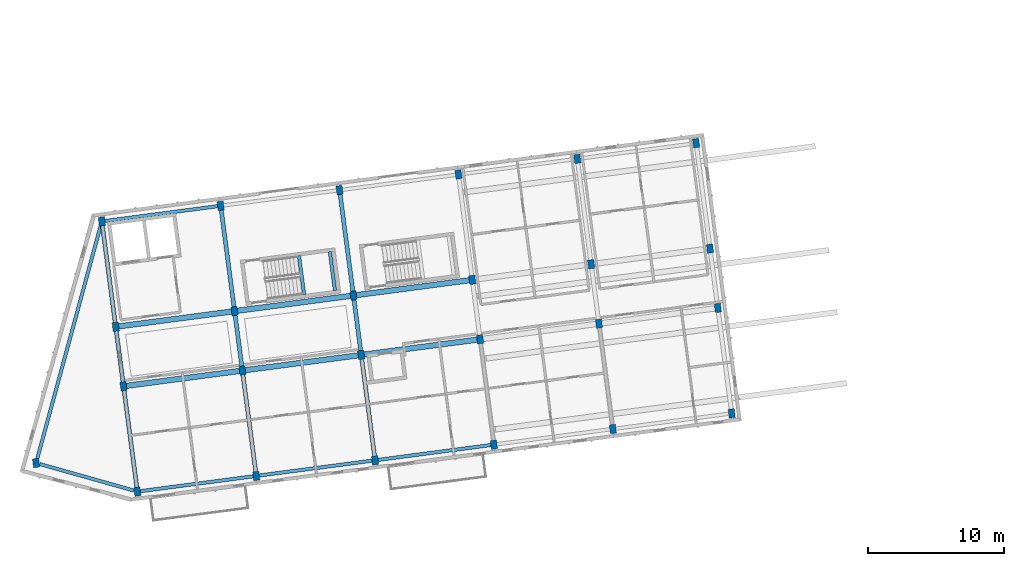
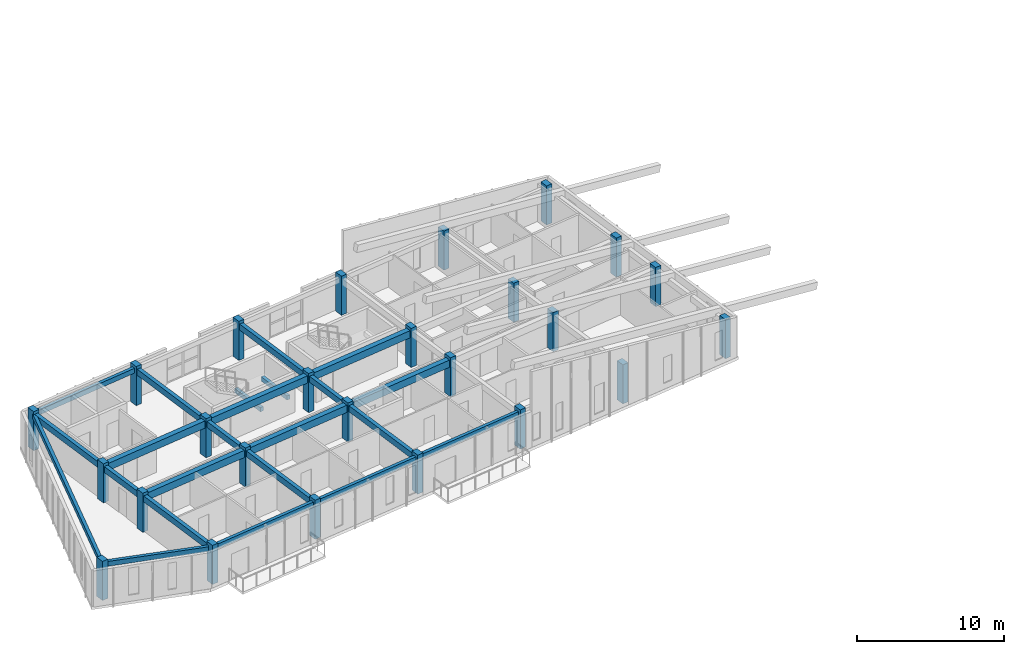
# One storey, part 1 of 16: 25 columns, 23 beams.
"""IFC4 building model written with IfcOpenShell, lengths in metres."""

from ifc_helpers import new_model, si_unit, direction, frame, origin, origin_2d, place, context, subcontext, project, spatial, rectangle, extrude, material, material_profile, profile_set, type_object, element, save


model = new_model("IFC4")

# Units and contexts
model_context = context("Model", 3, precision=1e-05, world=origin(), true_north=direction((0.0, 1.0)))
body_context = subcontext(model_context, "Body", "Model", "MODEL_VIEW")
ifc_project = project(units=[si_unit("LENGTHUNIT", "METRE"), si_unit("AREAUNIT", "SQUARE_METRE"), si_unit("VOLUMEUNIT", "CUBIC_METRE"), si_unit("PLANEANGLEUNIT", "RADIAN"), si_unit("MASSUNIT", "GRAM", prefix="KILO")], contexts=[model_context])

# Site, building, storey
site_placement = place(None, origin())
site = spatial("IfcSite", under=ifc_project, at=site_placement, CompositionType="ELEMENT")
building_placement = place(site_placement, origin())
building = spatial("IfcBuilding", under=site, at=building_placement, Name="Kestramere Prow Commons", CompositionType="ELEMENT")
storey_placement = place(building_placement, frame((0.0, 0.0, 40.89990234375)))
storey = spatial("IfcBuildingStorey", under=building, at=storey_placement, Name="L12", CompositionType="ELEMENT", Elevation=40.89990234375)

# Columns
ifc_material_1 = material(Name="Precast concrete C40/50", Category="concrete")
ifc_material_profile_1 = material_profile(ifc_material_1, rectangle(XDim=0.449951171875, YDim=0.64990234375, at=origin_2d()), Name="PC-COL 450x650")
ifc_profile_set_1 = profile_set([ifc_material_profile_1], Name="Precast concrete C40/50")
column_type = type_object("IfcColumnType", Name="C-A3 PC-COL 450x650", PredefinedType="COLUMN", material=ifc_profile_set_1)
for number, where, z_axis, x_axis, name in (
    (1, (11.199951171875, 72.0, 0.0), (0.0, 0.0, 1.0), (0.991444861374, 0.13052619222, 0.0), "Block A L12 Column 1-1"),
    (2, (10.181884765625, 79.733154296875, 0.0), (0.0, 0.0, 1.0), (0.991444861374, 0.13052619222, 0.0), "Block A L12 Column 1-2"),
    (3, (9.607666015625, 84.095703125, 0.0), (0.0, 0.0, 1.0), (0.991444861374, 0.13052619222, 0.0), "Block A L12 Column 1-3"),
    (4, (8.58935546875, 91.828857421875, 0.0), (0.0, 0.0, 1.0), (0.991444861374, 0.13052619222, 0.0), "Block A L12 Column 1-4"),
    (5, (19.9248046875, 73.148681640625, 0.0), (0.0, 0.0, 1.0), (0.991444861374, 0.13052619222, 0.0), "Block A L12 Column 2-1"),
    (6, (18.906494140625, 80.8818359375, 0.0), (0.0, 0.0, 1.0), (0.991444861374, 0.13052619222, 0.0), "Block A L12 Column 2-2"),
    (7, (18.332275390625, 85.244140625, 0.0), (0.0, 0.0, 1.0), (0.991444861374, 0.13052619222, 0.0), "Block A L12 Column 2-3"),
    (8, (17.314208984375, 92.9775390625, 0.0), (0.0, 0.0, 1.0), (0.991444861374, 0.13052619222, 0.0), "Block A L12 Column 2-4"),
    (9, (28.6494140625, 74.29736328125, 0.0), (0.0, 0.0, 1.0), (0.991444861374, 0.13052619222, 0.0), "Block A L12 Column 3-1"),
    (10, (27.63134765625, 82.030517578125, 0.0), (0.0, 0.0, 1.0), (0.991444861374, 0.13052619222, 0.0), "Block A L12 Column 3-2"),
    (11, (27.05712890625, 86.392822265625, 0.0), (0.0, 0.0, 1.0), (0.991444861374, 0.13052619222, 0.0), "Block A L12 Column 3-3"),
    (12, (26.038818359375, 94.126220703125, 0.0), (0.0, 0.0, 1.0), (0.991444861374, 0.13052619222, 0.0), "Block A L12 Column 3-4"),
    (13, (37.3740234375, 75.44580078125, 0.0), (0.0, 0.0, 1.0), (0.991444861374, 0.13052619222, 0.0), "Block A L12 Column 4-1"),
    (14, (36.35595703125, 83.17919921875, 0.0), (0.0, 0.0, 1.0), (0.991444861374, 0.13052619222, 0.0), "Block A L12 Column 4-2"),
    (15, (35.78173828125, 87.54150390625, 0.0), (0.0, 0.0, 1.0), (0.991444861374, 0.13052619222, 0.0), "Block A L12 Column 4-3"),
    (16, (34.763671875, 95.27490234375, 0.0), (0.0, 0.0, 1.0), (0.991444861374, 0.13052619222, 0.0), "Block A L12 Column 4-4"),
    (17, (46.098876953125, 76.594482421875, 0.0), (0.0, 0.0, 1.0), (0.991444861374, 0.13052619222, 0.0), "Block A L12 Column 5-1"),
    (18, (45.080810546875, 84.327880859375, 0.0), (0.0, 0.0, 1.0), (0.991444861374, 0.13052619222, 0.0), "Block A L12 Column 5-2"),
    (19, (44.50634765625, 88.690185546875, 0.0), (0.0, 0.0, 1.0), (0.991444861374, 0.13052619222, 0.0), "Block A L12 Column 5-3"),
    (20, (43.48828125, 96.42333984375, 0.0), (0.0, 0.0, 1.0), (0.991444861374, 0.13052619222, 0.0), "Block A L12 Column 5-4"),
    (21, (54.823486328125, 77.7431640625, 0.0), (0.0, 0.0, 1.0), (0.991444861374, 0.13052619222, 0.0), "Block A L12 Column 6-1"),
    (22, (53.805419921875, 85.476318359375, 0.0), (0.0, 0.0, 1.0), (0.991444861374, 0.13052619222, 0.0), "Block A L12 Column 6-2"),
    (23, (53.231201171875, 89.8388671875, 0.0), (0.0, 0.0, 1.0), (0.991444861374, 0.13052619222, 0.0), "Block A L12 Column 6-3"),
    (24, (52.213134765625, 97.572021484375, 0.0), (0.0, 0.0, 1.0), (0.991444861374, 0.13052619222, 0.0), "Block A L12 Column 6-4"),
    (25, (3.7626953125, 74.09716796875, 0.0), (0.0, 0.0, 1.0), (0.991444861374, 0.13052619222, 0.0), "Block A L12 Prow Apex Column"),
):
    element("IfcColumn", number, at=place(storey_placement, frame(where, z_axis=z_axis, x_axis=x_axis)), inside=storey, type_object=column_type, Name=name, PredefinedType="COLUMN", context=body_context, shape_type="SweptSolid", body=[
        extrude(rectangle(XDim=0.449951171875, YDim=0.64990234375, at=origin_2d()), origin(), (0.0, 0.0, 1.0), 3.25),
    ])

# Beams
ifc_material_profile_2 = material_profile(ifc_material_1, rectangle(XDim=0.39990234375, YDim=0.60009765625, at=origin_2d()), Name="PC-BM 400x600")
ifc_profile_set_2 = profile_set([ifc_material_profile_2], Name="Precast concrete C40/50")
beam_type_1 = type_object("IfcBeamType", Name="BM-A1 PC-BM 400x600", PredefinedType="BEAM", material=ifc_profile_set_2)
for number, where, z_axis, x_axis, name in (
    (26, (10.405029296875, 79.7626953125, 2.7001953125), (0.991445635283, 0.13052031366, 0.0), (-0.13052031366, 0.991445635283, 0.0), "Block A L12 Longitudinal Beam 2-1"),
    (27, (19.129638671875, 80.911376953125, 2.7001953125), (0.991445635283, 0.13052031366, 0.0), (-0.13052031366, 0.991445635283, 0.0), "Block A L12 Longitudinal Beam 2-2"),
    (28, (27.8544921875, 82.059814453125, 2.7001953125), (0.991441851318, 0.130549053825, 0.0), (-0.130549053825, 0.991441851318, 0.0), "Block A L12 Longitudinal Beam 2-3"),
    (29, (9.83056640625, 84.125, 2.7001953125), (0.991445635283, 0.13052031366, 0.0), (-0.13052031366, 0.991445635283, 0.0), "Block A L12 Longitudinal Beam 3-1"),
    (30, (18.555419921875, 85.273681640625, 2.7001953125), (0.991445635283, 0.13052031366, 0.0), (-0.13052031366, 0.991445635283, 0.0), "Block A L12 Longitudinal Beam 3-2"),
    (31, (27.280029296875, 86.42236328125, 2.7001953125), (0.991445635283, 0.13052031366, 0.0), (-0.13052031366, 0.991445635283, 0.0), "Block A L12 Longitudinal Beam 3-3"),
):
    element("IfcBeam", number, at=place(storey_placement, frame(where, z_axis=z_axis, x_axis=x_axis)), inside=storey, type_object=beam_type_1, Name=name, PredefinedType="BEAM", context=body_context, shape_type="SweptSolid", body=[
        extrude(rectangle(XDim=0.39990234375, YDim=0.60009765625, at=origin_2d()), origin(), (0.0, 0.0, 1.0), 8.35009765625),
    ])
ifc_material_2 = material(Name="Concrete C40/50", Category="concrete")
ifc_material_profile_3 = material_profile(ifc_material_2, rectangle(XDim=0.25, YDim=0.35009765625, at=origin_2d()), Name="PC-BM 250x350")
ifc_profile_set_3 = profile_set([ifc_material_profile_3], Name="Concrete C40/50")
beam_type_2 = type_object("IfcBeamType", Name="BM-ST-TRIM", PredefinedType="BEAM", material=ifc_profile_set_3)
for number, where, z_axis, x_axis, name in (
    (32, (23.4384765625, 86.451171875, 1.25), (-0.130520071219, 0.9914456672, 0.0), (-0.9914456672, -0.130520071219, 0.0), "ST-A1 L12 Landing Trimmer Beam 1A"),
    (33, (25.698974609375, 86.748779296875, 1.25), (-0.130520071219, 0.9914456672, 0.0), (-0.9914456672, -0.130520071219, 0.0), "ST-A1 L12 Landing Trimmer Beam 1B"),
):
    element("IfcBeam", number, at=place(storey_placement, frame(where, z_axis=z_axis, x_axis=x_axis)), inside=storey, type_object=beam_type_2, Name=name, PredefinedType="BEAM", context=body_context, shape_type="SweptSolid", body=[
        extrude(rectangle(XDim=0.25, YDim=0.35009765625, at=origin_2d()), origin(), (0.0, 0.0, 1.0), 2.889892578125),
    ])
ifc_material_profile_4 = material_profile(ifc_material_1, rectangle(XDim=0.300048828125, YDim=0.5, at=origin_2d()), Name="PC-BM 300x500")
ifc_profile_set_4 = profile_set([ifc_material_profile_4], Name="Precast concrete C40/50")
beam_type_3 = type_object("IfcBeamType", Name="BM-TIE-01 PC-BM 300x500", PredefinedType="BEAM", material=ifc_profile_set_4)
beam_1_placement = place(storey_placement, frame((11.157470703125, 72.322265625, 2.75), z_axis=(-0.130503975686, 0.991447785983, 0.0), x_axis=(-0.991447785983, -0.130503975686, 0.0)))
element("IfcBeam", 34, at=beam_1_placement, inside=storey, type_object=beam_type_3, Name="Block A L12 Transverse Beam 1-1", PredefinedType="BEAM", context=body_context, shape_type="SweptSolid", body=[
    extrude(rectangle(XDim=0.300048828125, YDim=0.5, at=origin_2d()), origin(), (0.0, 0.0, 1.0), 7.14990234375),
])
beam_2_placement = place(storey_placement, frame((10.139404296875, 80.055419921875, 2.75), z_axis=(-0.130530295097, 0.991444321211, 0.0), x_axis=(-0.991444321211, -0.130530295097, 0.0)))
element("IfcBeam", 35, at=beam_2_placement, inside=storey, type_object=beam_type_3, Name="Block A L12 Transverse Beam 1-2", PredefinedType="BEAM", context=body_context, shape_type="SweptSolid", body=[
    extrude(rectangle(XDim=0.300048828125, YDim=0.5, at=origin_2d()), origin(), (0.0, 0.0, 1.0), 3.75),
])
for number, where, z_axis, x_axis, name in (
    (36, (9.565185546875, 84.41796875, 2.75), (-0.130541958643, 0.991442785557, 0.0), (-0.991442785557, -0.130541958643, 0.0), "Block A L12 Transverse Beam 1-3"),
    (37, (19.88232421875, 73.470947265625, 2.75), (-0.130541958643, 0.991442785557, 0.0), (-0.991442785557, -0.130541958643, 0.0), "Block A L12 Transverse Beam 2-1"),
):
    element("IfcBeam", number, at=place(storey_placement, frame(where, z_axis=z_axis, x_axis=x_axis)), inside=storey, type_object=beam_type_3, Name=name, PredefinedType="BEAM", context=body_context, shape_type="SweptSolid", body=[
        extrude(rectangle(XDim=0.300048828125, YDim=0.5, at=origin_2d()), origin(), (0.0, 0.0, 1.0), 7.14990234375),
    ])
beam_3_placement = place(storey_placement, frame((18.8642578125, 81.2041015625, 2.75), z_axis=(-0.130530295097, 0.991444321211, 0.0), x_axis=(-0.991444321211, -0.130530295097, 0.0)))
element("IfcBeam", 38, at=beam_3_placement, inside=storey, type_object=beam_type_3, Name="Block A L12 Transverse Beam 2-2", PredefinedType="BEAM", context=body_context, shape_type="SweptSolid", body=[
    extrude(rectangle(XDim=0.300048828125, YDim=0.5, at=origin_2d()), origin(), (0.0, 0.0, 1.0), 3.75),
])
for number, where, z_axis, x_axis, name in (
    (39, (18.289794921875, 85.56640625, 2.75), (-0.130503975686, 0.991447785983, 0.0), (-0.991447785983, -0.130503975686, 0.0), "Block A L12 Transverse Beam 2-3"),
    (40, (28.60693359375, 74.619384765625, 2.75), (-0.130503975686, 0.991447785983, 0.0), (-0.991447785983, -0.130503975686, 0.0), "Block A L12 Transverse Beam 3-1"),
):
    element("IfcBeam", number, at=place(storey_placement, frame(where, z_axis=z_axis, x_axis=x_axis)), inside=storey, type_object=beam_type_3, Name=name, PredefinedType="BEAM", context=body_context, shape_type="SweptSolid", body=[
        extrude(rectangle(XDim=0.300048828125, YDim=0.5, at=origin_2d()), origin(), (0.0, 0.0, 1.0), 7.14990234375),
    ])
beam_4_placement = place(storey_placement, frame((27.5888671875, 82.352783203125, 2.75), z_axis=(-0.130538720766, 0.991443211879, 0.0), x_axis=(-0.991443211879, -0.130538720766, 0.0)))
element("IfcBeam", 41, at=beam_4_placement, inside=storey, type_object=beam_type_3, Name="Block A L12 Transverse Beam 3-2", PredefinedType="BEAM", context=body_context, shape_type="SweptSolid", body=[
    extrude(rectangle(XDim=0.300048828125, YDim=0.5, at=origin_2d()), origin(), (0.0, 0.0, 1.0), 3.749755859375),
])
beam_5_placement = place(storey_placement, frame((27.0146484375, 86.715087890625, 2.75), z_axis=(-0.130537539388, 0.991443367425, 0.0), x_axis=(-0.991443367425, -0.130537539388, 0.0)))
element("IfcBeam", 42, at=beam_5_placement, inside=storey, type_object=beam_type_3, Name="Block A L12 Transverse Beam 3-3", PredefinedType="BEAM", context=body_context, shape_type="SweptSolid", body=[
    extrude(rectangle(XDim=0.300048828125, YDim=0.5, at=origin_2d()), origin(), (0.0, 0.0, 1.0), 7.150146484375),
])
ifc_material_profile_5 = material_profile(ifc_material_1, rectangle(XDim=0.25, YDim=0.39990234375, at=origin_2d()), Name="PC-SP 250x400")
ifc_profile_set_5 = profile_set([ifc_material_profile_5], Name="Precast concrete C40/50")
beam_type_4 = type_object("IfcBeamType", Name="SP-EXT-01 PC-SP 250x400", PredefinedType="SPANDREL", material=ifc_profile_set_5)
beam_6_placement = place(storey_placement, frame((10.930419921875, 72.075927734375, 2.800048828125), z_axis=(-0.96246176941, 0.271417284681, 0.0), x_axis=(-0.271417284681, -0.96246176941, 0.0)))
element("IfcBeam", 43, at=beam_6_placement, inside=storey, type_object=beam_type_4, Name="Block A L12 Prow Facet Beam S", PredefinedType="SPANDREL", context=body_context, shape_type="SweptSolid", body=[
    extrude(rectangle(XDim=0.25, YDim=0.39990234375, at=origin_2d()), origin(), (0.0, 0.0, 1.0), 7.167236328125),
])
beam_7_placement = place(storey_placement, frame((8.515869140625, 91.558837890625, 2.800048828125), z_axis=(-0.262653591278, -0.964890196338, 0.0), x_axis=(0.964890196338, -0.262653591278, 0.0)))
element("IfcBeam", 44, at=beam_7_placement, inside=storey, type_object=beam_type_4, Name="Block A L12 Prow Facet Beam N", PredefinedType="SPANDREL", context=body_context, shape_type="SweptSolid", body=[
    extrude(rectangle(XDim=0.25, YDim=0.39990234375, at=origin_2d()), origin(), (0.0, 0.0, 1.0), 17.81689453125),
])
for number, where, z_axis, x_axis, name in (
    (45, (11.423095703125, 72.029296875, 2.800048828125), (0.991445635283, 0.13052031366, 0.0), (-0.13052031366, 0.991445635283, 0.0), "Block A L12 Longitudinal Beam 1-1"),
    (46, (20.147705078125, 73.177978515625, 2.800048828125), (0.991445635283, 0.13052031366, 0.0), (-0.13052031366, 0.991445635283, 0.0), "Block A L12 Longitudinal Beam 1-2"),
    (47, (28.87255859375, 74.32666015625, 2.800048828125), (0.991445635283, 0.13052031366, 0.0), (-0.13052031366, 0.991445635283, 0.0), "Block A L12 Longitudinal Beam 1-3"),
    (48, (8.8125, 91.858154296875, 2.800048828125), (0.991441851318, 0.130549053825, 0.0), (-0.130549053825, 0.991441851318, 0.0), "Block A L12 Longitudinal Beam 4-1"),
):
    element("IfcBeam", number, at=place(storey_placement, frame(where, z_axis=z_axis, x_axis=x_axis)), inside=storey, type_object=beam_type_4, Name=name, PredefinedType="SPANDREL", context=body_context, shape_type="SweptSolid", body=[
        extrude(rectangle(XDim=0.25, YDim=0.39990234375, at=origin_2d()), origin(), (0.0, 0.0, 1.0), 8.35009765625),
    ])

save(model, "model.ifc")
